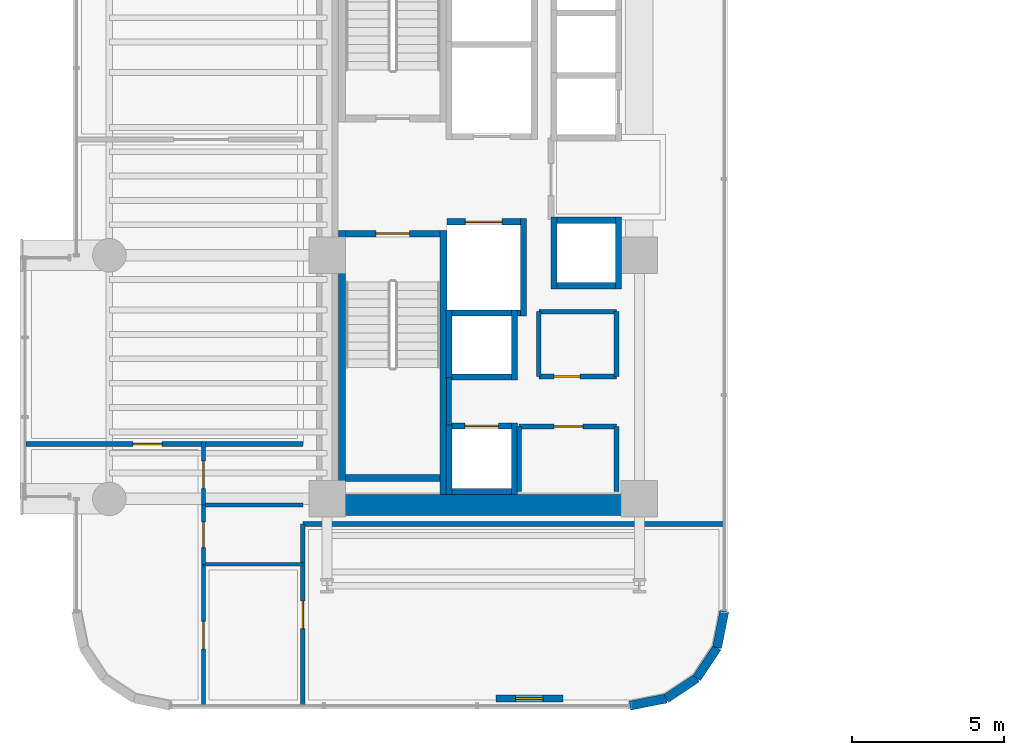
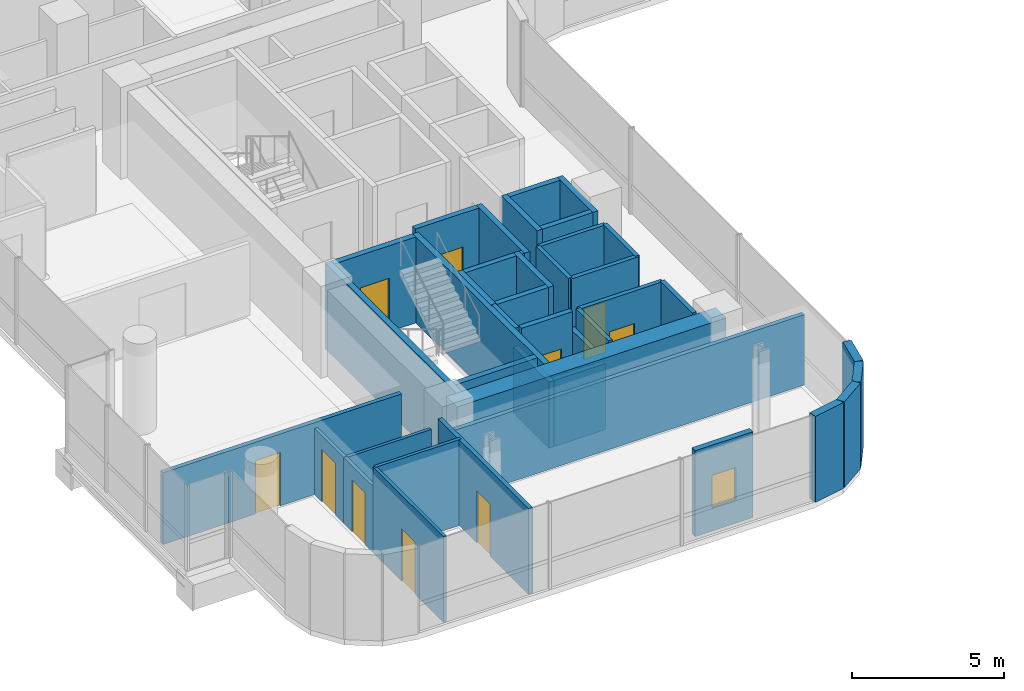
# One storey, part 28 of 37: 40 walls, 10 doors, 1 window, 11 openings.
"""IFC4 building model written with IfcOpenShell, lengths in metres."""

import ifcopenshell
import ifcopenshell.guid

model = None  # the IFC model being written
_history = None  # IfcOwnerHistory: only IFC2X3 demands one
_inside = {}  # id of a spatial element -> (the spatial element, [elements in it])
_under = {}  # id of a project, library or spatial element -> (it, [spatial elements below it])
_declared = {}  # id of a project -> (the project, [libraries it declares])
_typed = {}  # id of a type object -> (the type object, [elements of that type])
_made_of = {}  # id of a material, layer set ... -> (it, [elements and type objects made of it])


def new_model(schema):
    """Start an empty IFC model of exactly this schema.

    Asked for "IFC4X3", IfcOpenShell would pick the latest addendum, in which some entities
    have other attributes; the version numbers below select the first issue.
    IFC2X3 requires an IfcOwnerHistory on every rooted entity: one is made here for all.
    """
    global model, _history
    if schema == "IFC4X3":
        model = ifcopenshell.file(schema_version=(4, 3, 0, 0))
    else:
        model = ifcopenshell.file(schema=schema)
    _inside.clear()
    _under.clear()
    _declared.clear()
    _typed.clear()
    _made_of.clear()
    _history = None
    if model.schema == "IFC2X3":
        org = make("IfcOrganization", Name="unknown")
        user = make(
            "IfcPersonAndOrganization",
            ThePerson=make("IfcPerson", FamilyName="unknown"),
            TheOrganization=org,
        )
        app = make(
            "IfcApplication",
            ApplicationDeveloper=org,
            Version="unknown",
            ApplicationFullName="unknown",
            ApplicationIdentifier="unknown",
        )
        _history = make(
            "IfcOwnerHistory",
            OwningUser=user,
            OwningApplication=app,
            ChangeAction="ADDED",
            CreationDate=0,
        )
    return model


def make(cls, **values):
    """One entity of the class cls with the attributes given. An attribute that is None is left unset."""
    return model.create_entity(
        cls, **{name: value for name, value in values.items() if value is not None}
    )


def rooted(cls, **values):
    """An entity with a GlobalId (a new one), such as an element, a storey or a relation."""
    return make(cls, GlobalId=ifcopenshell.guid.new(), OwnerHistory=_history, **values)


def si_unit(unit_type, name, prefix=None):
    """IfcSIUnit, for example si_unit("LENGTHUNIT", "METRE", prefix="MILLI")."""
    return make("IfcSIUnit", UnitType=unit_type, Prefix=prefix, Name=name)


def assignment(units):
    """IfcUnitAssignment: the units of a project."""
    return None if units is None else make("IfcUnitAssignment", Units=units)


def point(xyz):
    """IfcCartesianPoint."""
    return None if xyz is None else make("IfcCartesianPoint", Coordinates=xyz)


def direction(xyz):
    """IfcDirection."""
    return None if xyz is None else make("IfcDirection", DirectionRatios=xyz)


def frame(location, z_axis=None, x_axis=None):
    """IfcAxis2Placement3D, a coordinate frame: its origin and axes. An axis left out is left unset."""
    return make(
        "IfcAxis2Placement3D",
        Location=point(location),
        Axis=direction(z_axis),
        RefDirection=direction(x_axis),
    )


def frame_2d(location, x_axis=None):
    """IfcAxis2Placement2D, a coordinate frame in the plane: its origin and x axis."""
    return make(
        "IfcAxis2Placement2D", Location=point(location), RefDirection=direction(x_axis)
    )


def origin():
    """The frame at (0, 0, 0) with its axes left unset."""
    return frame((0.0, 0.0, 0.0))


def place(relative_to, where):
    """IfcLocalPlacement: puts the frame where relative to a parent placement (None: the world)."""
    return make(
        "IfcLocalPlacement", PlacementRelTo=relative_to, RelativePlacement=where
    )


def context(
    kind, dimensions, precision=None, world=None, true_north=None, identifier=None
):
    """IfcGeometricRepresentationContext, for example the 3D "Model" context."""
    return make(
        "IfcGeometricRepresentationContext",
        ContextIdentifier=identifier,
        ContextType=kind,
        CoordinateSpaceDimension=dimensions,
        Precision=precision,
        WorldCoordinateSystem=world,
        TrueNorth=true_north,
    )


def subcontext(parent, identifier, kind, view, scale=None):
    """IfcGeometricRepresentationSubContext, for example "Body" below "Model"."""
    return make(
        "IfcGeometricRepresentationSubContext",
        ContextIdentifier=identifier,
        ContextType=kind,
        ParentContext=parent,
        TargetScale=scale,
        TargetView=view,
    )


def project(units=None, contexts=None):
    """IfcProject with its units and contexts."""
    return rooted(
        "IfcProject",
        Name="project",
        RepresentationContexts=contexts,
        UnitsInContext=assignment(units),
    )


def spatial(cls, under=None, at=None, **own):
    """A site, building, storey or space (cls), placed at a placement, below another one or the project."""
    s = rooted(cls, ObjectPlacement=at, **own)
    if under is not None:
        _under.setdefault(under.id(), (under, []))[1].append(s)
    return s


def profile(cls, at=None, kind="AREA", **sizes):
    """A parametric profile (cls). Its sizes go by their IFC names, for example OverallWidth=200.0."""
    return make(cls, ProfileType=kind, Position=at, **sizes)


def rectangle(**sizes):
    """IfcRectangleProfileDef."""
    return profile("IfcRectangleProfileDef", **sizes)


def extrude(swept, where, along, depth):
    """IfcExtrudedAreaSolid: the profile swept, set in the frame where, extruded along a direction by depth."""
    return make(
        "IfcExtrudedAreaSolid",
        SweptArea=swept,
        Position=where,
        ExtrudedDirection=direction(along),
        Depth=depth,
    )


def shape(context_of_items, identifier, shape_type, items):
    """IfcShapeRepresentation: the items that make up one representation, for example the "Body"."""
    return make(
        "IfcShapeRepresentation",
        ContextOfItems=context_of_items,
        RepresentationIdentifier=identifier,
        RepresentationType=shape_type,
        Items=items,
    )


def material(Name=None, Category=None):
    """IfcMaterial."""
    return make("IfcMaterial", Name=Name, Category=Category)


def layer(
    of_material, thickness, ventilated=None, Name=None, Category=None, Priority=None
):
    """IfcMaterialLayer: one layer of a wall or slab, of a material (None: an air gap)."""
    return make(
        "IfcMaterialLayer",
        Material=of_material,
        LayerThickness=thickness,
        IsVentilated=ventilated,
        Name=Name,
        Category=Category,
        Priority=Priority,
    )


def layer_set(layers, Name=None):
    """IfcMaterialLayerSet."""
    return make("IfcMaterialLayerSet", MaterialLayers=layers, LayerSetName=Name)


def made_of(thing, what):
    """Note that an element or type object is made of a material, layer set ...; save() writes the relation."""
    if what is not None:
        _made_of.setdefault(what.id(), (what, []))[1].append(thing)
    return thing


def type_object(cls, material=None, **own):
    """A type object (cls), such as IfcWallType, which elements share."""
    return made_of(rooted(cls, **own), material)


def element(
    cls,
    number,
    at=None,
    inside=None,
    cuts=None,
    type_object=None,
    material=None,
    context=None,
    identifier="Body",
    shape_type=None,
    held_by="IfcProductDefinitionShape",
    body=None,
    shapes=None,
    **own,
):
    """One element of the class cls, such as IfcWall. Its Tag is "e" and its number.

    at: its placement. inside: the storey or other place that contains it. cuts: it is an
    opening in that element (IfcRelVoidsElement). A single representation is given by context,
    identifier, shape_type and body (its items); several are given by shapes. held_by: the class
    of the entity that holds the representations. save() writes the other relations.
    """
    e = rooted(cls, Tag="e%d" % number, ObjectPlacement=at, **own)
    if body is not None:
        shapes = [shape(context, identifier, shape_type, body)]
    if shapes is not None:
        e.Representation = make(held_by, Representations=shapes)
    if inside is not None:
        _inside.setdefault(inside.id(), (inside, []))[1].append(e)
    if cuts is not None:
        rooted(
            "IfcRelVoidsElement", RelatingBuildingElement=cuts, RelatedOpeningElement=e
        )
    if type_object is not None:
        _typed.setdefault(type_object.id(), (type_object, []))[1].append(e)
    return made_of(e, material)


def fill(opening, filler):
    """IfcRelFillsElement: the door or window that sits in an opening."""
    return rooted(
        "IfcRelFillsElement",
        RelatingOpeningElement=opening,
        RelatedBuildingElement=filler,
    )


def aggregate(whole, parts):
    """IfcRelAggregates: a whole, such as a stair, and the parts it consists of."""
    return rooted("IfcRelAggregates", RelatingObject=whole, RelatedObjects=parts)


def save(model, path):
    """Write the relations noted so far, then the file.

    IfcRelAggregates (storeys below a building ...), IfcRelContainedInSpatialStructure (elements
    in a storey), IfcRelDefinesByType, IfcRelAssociatesMaterial and IfcRelDeclares: one each for
    every whole, place, type object, material and project.
    """
    for whole, parts in _under.values():
        aggregate(whole, parts)
    for where, things in _inside.values():
        rooted(
            "IfcRelContainedInSpatialStructure",
            RelatedElements=things,
            RelatingStructure=where,
        )
    for kind, things in _typed.values():
        rooted("IfcRelDefinesByType", RelatedObjects=things, RelatingType=kind)
    for what, things in _made_of.values():
        rooted("IfcRelAssociatesMaterial", RelatedObjects=things, RelatingMaterial=what)
    for by, libraries in _declared.values():
        rooted("IfcRelDeclares", RelatingContext=by, RelatedDefinitions=libraries)
    model.write(path)


model = new_model("IFC4")

# Units and contexts
model_context = context("Model", 3, precision=1e-05, world=origin(), true_north=direction((0.0, 1.0)))
body_context = subcontext(model_context, "Body", "Model", "MODEL_VIEW")
ifc_project = project(units=[si_unit("LENGTHUNIT", "METRE"), si_unit("AREAUNIT", "SQUARE_METRE"), si_unit("VOLUMEUNIT", "CUBIC_METRE"), si_unit("PLANEANGLEUNIT", "RADIAN"), si_unit("MASSUNIT", "GRAM", prefix="KILO")], contexts=[model_context])

# Site, building, storey
site_placement = place(None, origin())
site = spatial("IfcSite", under=ifc_project, at=site_placement, CompositionType="ELEMENT")
building_placement = place(site_placement, origin())
building = spatial("IfcBuilding", under=site, at=building_placement, Name="Valdorenza Pilgrim Sanctuary Tower", CompositionType="ELEMENT")
storey_placement = place(building_placement, frame((0.0, 0.0, 127.89990234375)))
storey = spatial("IfcBuildingStorey", under=building, at=storey_placement, Name="L32", CompositionType="ELEMENT", Elevation=127.89990234375)

# Wall
ifc_material_1 = material(Name="Acoustic twin-stud gypsum partition", Category="gypsum")
ifc_layer_1 = layer(ifc_material_1, 0.159912109375, Name="Acoustic twin-stud gypsum partition")
ifc_layer_set_1 = layer_set([ifc_layer_1], Name="Acoustic twin-stud gypsum partition")
wall_type_1 = type_object("IfcWallType", Name="WAL-COR-160", PredefinedType="PARTITIONING", material=ifc_layer_set_1)
wall_1_placement = place(storey_placement, frame((-18.64990234375, -8.179931640625, 0.0), z_axis=(0.0, 0.0, 1.0), x_axis=(0.0, 1.0, 0.0)))
element("IfcWall", 1, at=wall_1_placement, inside=storey, type_object=wall_type_1, Name="L32 Core A South Lift Hall West Wall", PredefinedType="PARTITIONING", context=body_context, shape_type="SweptSolid", body=[
    extrude(rectangle(XDim=1.559814453125, YDim=0.159912109375, at=frame_2d((0.77978515625, 0.0))), origin(), (0.0, 0.0, 1.0), 3.460205078125),
])

# Wall, opening, door
wall_2_placement = place(storey_placement, frame((-16.35009765625, -8.219970703125, 0.0), z_axis=(0.0, 0.0, 1.0), x_axis=(1.0, 0.0, 0.0)))
wall_2 = element("IfcWall", 2, at=wall_2_placement, inside=storey, type_object=wall_type_1, Name="L32 Freed Shaft 1 North Wall", PredefinedType="PARTITIONING", context=body_context, shape_type="SweptSolid", body=[
    extrude(rectangle(XDim=3.2001953125, YDim=0.159912109375, at=frame_2d((1.60009765625, 0.0))), origin(), (0.0, 0.0, 1.0), 3.460205078125),
])
opening_1_placement = place(wall_2_placement, frame((1.14990234375, 0.0, 0.0)))
opening_1 = element("IfcOpeningElement", 3, at=opening_1_placement, cuts=wall_2, Name="Opening DR-UN1", PredefinedType="OPENING", context=body_context, shape_type="SweptSolid", body=[
    extrude(rectangle(XDim=0.949951171875, YDim=2.14990234375, at=frame_2d((0.47509765625, 1.074951171875))), frame((0.0, 0.0947265625, 0.0), z_axis=(0.0, -1.0, 0.0), x_axis=(1.0, 0.0, 0.0)), (0.0, 0.0, 1.0), 0.189697265625),
])
ifc_material_2 = material(Name="Solid-core European oak timber", Category="wood")
door_type_1 = type_object("IfcDoorType", Name="DR-UNIT-950", OperationType="NOTDEFINED", PredefinedType="DOOR", material=ifc_material_2)
door_1_placement = place(opening_1_placement, origin())
door_1 = element("IfcDoor", 4, at=door_1_placement, inside=storey, type_object=door_type_1, Name="L32 Back-of-House Linen Store Door", OperationType="SINGLE_SWING_LEFT", OverallHeight=2.14990234375, OverallWidth=0.949951171875, PredefinedType="DOOR", context=body_context, shape_type="SweptSolid", body=[
    extrude(rectangle(XDim=0.949951171875, YDim=2.14990234375, at=frame_2d((0.47509765625, 1.074951171875))), frame((0.0, 0.02490234375, 0.0), z_axis=(0.0, -1.0, 0.0), x_axis=(1.0, 0.0, 0.0)), (0.0, 0.0, 1.0), 0.050048828125),
])
fill(opening_1, door_1)

# Wall
wall_3_placement = place(storey_placement, frame((-13.14990234375, -10.35009765625, 0.0), z_axis=(0.0, 0.0, 1.0), x_axis=(0.0, 1.0, 0.0)))
element("IfcWall", 5, at=wall_3_placement, inside=storey, type_object=wall_type_1, Name="L32 Freed Shaft 1 East Wall", PredefinedType="PARTITIONING", context=body_context, shape_type="SweptSolid", body=[
    extrude(rectangle(XDim=2.130126953125, YDim=0.159912109375, at=frame_2d((1.06494140625, 0.0))), origin(), (0.0, 0.0, 1.0), 3.460205078125),
])

# Wall, opening, door
wall_4_placement = place(storey_placement, frame((-15.699951171875, -6.580078125, 0.0), z_axis=(0.0, 0.0, 1.0), x_axis=(1.0, 0.0, 0.0)))
wall_4 = element("IfcWall", 6, at=wall_4_placement, inside=storey, type_object=wall_type_1, Name="L32 Freed Shaft 2 South Wall", PredefinedType="PARTITIONING", context=body_context, shape_type="SweptSolid", body=[
    extrude(rectangle(XDim=2.550048828125, YDim=0.159912109375, at=frame_2d((1.27490234375, 0.0))), origin(), (0.0, 0.0, 1.0), 3.460205078125),
])
opening_2_placement = place(wall_4_placement, frame((0.5, 0.0, 0.0)))
opening_2 = element("IfcOpeningElement", 7, at=opening_2_placement, cuts=wall_4, Name="Opening DR-RS1", PredefinedType="OPENING", context=body_context, shape_type="SweptSolid", body=[
    extrude(rectangle(XDim=0.85009765625, YDim=2.050048828125, at=frame_2d((0.425048828125, 1.02490234375))), frame((0.0, 0.0947265625, 0.0), z_axis=(0.0, -1.0, 0.0), x_axis=(1.0, 0.0, 0.0)), (0.0, 0.0, 1.0), 0.189697265625),
])
ifc_material_3 = material(Name="Painted galvanized steel", Category="steel")
door_type_2 = type_object("IfcDoorType", Name="DR-RSR-850", OperationType="NOTDEFINED", PredefinedType="DOOR", material=ifc_material_3)
door_2_placement = place(opening_2_placement, origin())
door_2 = element("IfcDoor", 8, at=door_2_placement, inside=storey, type_object=door_type_2, Name="L32 Guest Tea Pantry Door", OperationType="SINGLE_SWING_RIGHT", OverallHeight=2.050048828125, OverallWidth=0.85009765625, PredefinedType="DOOR", context=body_context, shape_type="SweptSolid", body=[
    extrude(rectangle(XDim=0.85009765625, YDim=2.050048828125, at=frame_2d((0.425048828125, 1.02490234375))), frame((0.0, 0.02490234375, 0.0), z_axis=(0.0, -1.0, 0.0), x_axis=(1.0, 0.0, 0.0)), (0.0, 0.0, 1.0), 0.050048828125),
])
fill(opening_2, door_2)

# Walls
wall_5_placement = place(storey_placement, frame((-13.14990234375, -6.580078125, 0.0), z_axis=(0.0, 0.0, 1.0), x_axis=(0.0, 1.0, 0.0)))
element("IfcWall", 9, at=wall_5_placement, inside=storey, type_object=wall_type_1, Name="L32 Freed Shaft 2 East Wall", PredefinedType="PARTITIONING", context=body_context, shape_type="SweptSolid", body=[
    extrude(rectangle(XDim=2.130126953125, YDim=0.159912109375, at=frame_2d((1.06494140625, 0.0))), origin(), (0.0, 0.0, 1.0), 3.460205078125),
])
wall_6_placement = place(storey_placement, frame((-23.449951171875, -11.419921875, 0.0), z_axis=(0.0, 0.0, 1.0), x_axis=(1.0, 0.0, 0.0)))
element("IfcWall", 10, at=wall_6_placement, inside=storey, type_object=wall_type_1, Name="L32 South-East Pocket North Wall", PredefinedType="PARTITIONING", context=body_context, shape_type="SweptSolid", body=[
    extrude(rectangle(XDim=13.83984375, YDim=0.159912109375, at=frame_2d((6.919921875, 0.0))), origin(), (0.0, 0.0, 1.0), 2.833984375),
])

# Wall, opening, door
wall_7_placement = place(storey_placement, frame((-23.449951171875, -17.389892578125, 0.0), z_axis=(0.0, 0.0, 1.0), x_axis=(0.0, 1.0, 0.0)))
wall_7 = element("IfcWall", 11, at=wall_7_placement, inside=storey, type_object=wall_type_1, Name="L32 South-East Pocket West Wall", PredefinedType="PARTITIONING", context=body_context, shape_type="SweptSolid", body=[
    extrude(rectangle(XDim=5.969970703125, YDim=0.159912109375, at=frame_2d((2.98486328125, 0.0))), origin(), (0.0, 0.0, 1.0), 3.460205078125),
])
opening_3_placement = place(wall_7_placement, frame((2.534912109375, 0.0, 0.0)))
opening_3 = element("IfcOpeningElement", 12, at=opening_3_placement, cuts=wall_7, Name="Opening DR-RM1", PredefinedType="OPENING", context=body_context, shape_type="SweptSolid", body=[
    extrude(rectangle(XDim=0.89990234375, YDim=2.10009765625, at=frame_2d((0.449951171875, 1.050048828125))), frame((0.0, 0.0947265625, 0.0), z_axis=(0.0, -1.0, 0.0), x_axis=(1.0, 0.0, 0.0)), (0.0, 0.0, 1.0), 0.189697265625),
])
door_type_3 = type_object("IfcDoorType", Name="DR-ROOM-900", OperationType="NOTDEFINED", PredefinedType="DOOR", material=ifc_material_2)
door_3_placement = place(opening_3_placement, origin())
door_3 = element("IfcDoor", 13, at=door_3_placement, inside=storey, type_object=door_type_3, Name="L32 South Panoramic Viewing Salon L32 Door", OperationType="SINGLE_SWING_RIGHT", OverallHeight=2.10009765625, OverallWidth=0.89990234375, PredefinedType="DOOR", context=body_context, shape_type="SweptSolid", body=[
    extrude(rectangle(XDim=0.89990234375, YDim=2.10009765625, at=frame_2d((0.449951171875, 1.050048828125))), frame((0.0, 0.02490234375, 0.0), z_axis=(0.0, -1.0, 0.0), x_axis=(1.0, 0.0, 0.0)), (0.0, 0.0, 1.0), 0.050048828125),
])
fill(opening_3, door_3)

wall_8_placement = place(storey_placement, frame((-32.5400390625, -8.800048828125, 0.0), z_axis=(0.0, 0.0, 1.0), x_axis=(1.0, 0.0, 0.0)))
wall_8 = element("IfcWall", 14, at=wall_8_placement, inside=storey, type_object=wall_type_1, Name="L32 Cloister South Room Wall", PredefinedType="PARTITIONING", context=body_context, shape_type="SweptSolid", body=[
    extrude(rectangle(XDim=9.090087890625, YDim=0.159912109375, at=frame_2d((4.544921875, 0.0))), origin(), (0.0, 0.0, 1.0), 2.89599609375),
])
opening_4_placement = place(wall_8_placement, frame((3.52001953125, 0.0, 0.0)))
opening_4 = element("IfcOpeningElement", 15, at=opening_4_placement, cuts=wall_8, Name="Opening DR-UN1", PredefinedType="OPENING", context=body_context, shape_type="SweptSolid", body=[
    extrude(rectangle(XDim=0.949951171875, YDim=2.14990234375, at=frame_2d((0.47509765625, 1.074951171875))), frame((0.0, 0.0947265625, 0.0), z_axis=(0.0, -1.0, 0.0), x_axis=(1.0, 0.0, 0.0)), (0.0, 0.0, 1.0), 0.189697265625),
])
door_4_placement = place(opening_4_placement, origin())
door_4 = element("IfcDoor", 16, at=door_4_placement, inside=storey, type_object=door_type_1, Name="L32 Sanctuary Apartment L32-CS1 Entrance Door", OperationType="SINGLE_SWING_RIGHT", OverallHeight=2.14990234375, OverallWidth=0.949951171875, PredefinedType="DOOR", context=body_context, shape_type="SweptSolid", body=[
    extrude(rectangle(XDim=0.949951171875, YDim=2.14990234375, at=frame_2d((0.47509765625, 1.074951171875))), frame((0.0, 0.02490234375, 0.0), z_axis=(0.0, -1.0, 0.0), x_axis=(1.0, 0.0, 0.0)), (0.0, 0.0, 1.0), 0.050048828125),
])
fill(opening_4, door_4)

# Walls
ifc_material_4 = material(Name="Concrete C60/75", Category="concrete")
ifc_layer_2 = layer(ifc_material_4, 0.699951171875, Name="Concrete C60/75")
ifc_layer_set_2 = layer_set([ifc_layer_2], Name="Concrete C60/75")
wall_type_2 = type_object("IfcWallType", Name="WAL-COR-700", PredefinedType="SHEAR", material=ifc_layer_set_2)
wall_9_placement = place(storey_placement, frame((-22.64990234375, -10.800048828125, 0.0), z_axis=(0.0, 0.0, 1.0), x_axis=(1.0, 0.0, 0.0)))
element("IfcWall", 17, at=wall_9_placement, inside=storey, type_object=wall_type_2, Name="L32 Split Core A Shear Wall S", PredefinedType="SHEAR", context=body_context, shape_type="SweptSolid", body=[
    extrude(rectangle(XDim=10.25, YDim=0.699951171875, at=frame_2d((5.125, 0.0))), origin(), (0.0, 0.0, 1.0), 3.460205078125),
])
ifc_material_5 = material(Name="Honed travertine limestone", Category="masonry")
ifc_layer_3 = layer(ifc_material_5, 0.300048828125, Name="Honed travertine limestone")
ifc_layer_set_3 = layer_set([ifc_layer_3], Name="Honed travertine limestone")
wall_type_3 = type_object("IfcWallType", Name="WAL-EXT-300", PredefinedType="SOLIDWALL", material=ifc_layer_set_3)
wall_10_placement = place(storey_placement, frame((-9.610107421875, -14.289306640625, 0.0), z_axis=(0.0, 0.0, 1.0), x_axis=(-0.194996050505, -0.980804027463, 0.0)))
element("IfcWall", 18, at=wall_10_placement, inside=storey, type_object=wall_type_3, Name="L32 Rounded Wind-Corner Stone Pier 42", PredefinedType="SOLIDWALL", context=body_context, shape_type="SweptSolid", body=[
    extrude(rectangle(XDim=1.2158203125, YDim=0.300048828125, at=frame_2d((0.60791015625, 0.0))), origin(), (0.0, 0.0, 1.0), 3.460205078125),
])
for number, where, z_axis, x_axis, name in (
    (19, (-9.84716796875, -15.481689453125, 0.0), (0.0, 0.0, 1.0), (-0.555635100982, -0.831426265255, 0.0), "L32 Rounded Wind-Corner Stone Pier 43"),
    (20, (-10.5166015625, -16.4833984375, 0.0), (0.0, 0.0, 1.0), (-0.831426265255, -0.555635100982, 0.0), "L32 Rounded Wind-Corner Stone Pier 44"),
):
    element("IfcWall", number, at=place(storey_placement, frame(where, z_axis=z_axis, x_axis=x_axis)), inside=storey, type_object=wall_type_3, Name=name, PredefinedType="SOLIDWALL", context=body_context, shape_type="SweptSolid", body=[
        extrude(rectangle(XDim=1.204833984375, YDim=0.300048828125, at=frame_2d((0.6025390625, 0.0))), origin(), (0.0, 0.0, 1.0), 3.460205078125),
    ])
wall_11_placement = place(storey_placement, frame((-11.518310546875, -17.15283203125, 0.0), z_axis=(0.0, 0.0, 1.0), x_axis=(-0.980804027463, -0.194996050505, 0.0)))
element("IfcWall", 21, at=wall_11_placement, inside=storey, type_object=wall_type_3, Name="L32 Rounded Wind-Corner Stone Pier 45", PredefinedType="SOLIDWALL", context=body_context, shape_type="SweptSolid", body=[
    extrude(rectangle(XDim=1.2158203125, YDim=0.300048828125, at=frame_2d((0.60791015625, 0.0))), origin(), (0.0, 0.0, 1.0), 3.460205078125),
])

# Wall, opening, window
wall_12_placement = place(storey_placement, frame((-14.910888671875, -17.14990234375, 0.0), z_axis=(0.0, 0.0, 1.0), x_axis=(-1.0, 0.0, 0.0)))
wall_12 = element("IfcWall", 22, at=wall_12_placement, inside=storey, type_object=wall_type_3, Name="L32 Operable Ventilation Sash Jamb Pier", PredefinedType="SOLIDWALL", context=body_context, shape_type="SweptSolid", body=[
    extrude(rectangle(XDim=2.199951171875, YDim=0.219970703125, at=frame_2d((1.10009765625, 0.0))), origin(), (0.0, 0.0, 1.0), 3.460205078125),
])
opening_5_placement = place(wall_12_placement, frame((0.64990234375, 0.0, 0.949951171875)))
opening_5 = element("IfcOpeningElement", 23, at=opening_5_placement, cuts=wall_12, Name="Opening WN-OP1", PredefinedType="OPENING", context=body_context, shape_type="SweptSolid", body=[
    extrude(rectangle(XDim=0.89990234375, YDim=1.300048828125, at=frame_2d((0.449951171875, 0.64990234375))), frame((0.0, 0.125, 0.0), z_axis=(0.0, -1.0, 0.0), x_axis=(1.0, 0.0, 0.0)), (0.0, 0.0, 1.0), 0.249755859375),
])
ifc_material_6 = material(Name="Ceramic-fritted low-E IGU glazing", Category="glass")
window_type = type_object("IfcWindowType", Name="WIN-OPN-900", PartitioningType="SINGLE_PANEL", PredefinedType="WINDOW", material=ifc_material_6)
window_placement = place(opening_5_placement, origin())
window = element("IfcWindow", 24, at=window_placement, inside=storey, type_object=window_type, Name="L32 Parallel-Pop-Out Operable Facade Panel", OverallHeight=1.300048828125, OverallWidth=0.89990234375, PartitioningType="SINGLE_PANEL", PredefinedType="WINDOW", context=body_context, shape_type="SweptSolid", body=[
    extrude(rectangle(XDim=0.89990234375, YDim=1.300048828125, at=frame_2d((0.449951171875, 0.64990234375))), frame((0.0, 0.030029296875, 0.0), z_axis=(0.0, -1.0, 0.0), x_axis=(1.0, 0.0, 0.0)), (0.0, 0.0, 1.0), 0.06005859375),
])
fill(opening_5, window)

# Walls
ifc_material_7 = material(Name="Moisture-resistant gypsum partition", Category="gypsum")
ifc_layer_4 = layer(ifc_material_7, 0.1201171875, Name="Moisture-resistant gypsum partition")
ifc_layer_set_4 = layer_set([ifc_layer_4], Name="Moisture-resistant gypsum partition")
wall_type_4 = type_object("IfcWallType", Name="WAL-INT-120", PredefinedType="PARTITIONING", material=ifc_layer_set_4)
wall_13_placement = place(storey_placement, frame((-26.70849609375, -10.800048828125, 0.0), z_axis=(0.0, 0.0, 1.0), x_axis=(1.0, 0.0, 0.0)))
element("IfcWall", 25, at=wall_13_placement, inside=storey, type_object=wall_type_4, Name="L32 Sanctuary Apartment L32-CS1 Bath-Kitchen Wall", PredefinedType="PARTITIONING", context=body_context, shape_type="SweptSolid", body=[
    extrude(rectangle(XDim=3.258544921875, YDim=0.1201171875, at=frame_2d((1.62939453125, 0.0))), origin(), (0.0, 0.0, 1.0), 2.666015625),
])
wall_14_placement = place(storey_placement, frame((-26.70849609375, -12.75, 0.0), z_axis=(0.0, 0.0, 1.0), x_axis=(1.0, 0.0, 0.0)))
element("IfcWall", 26, at=wall_14_placement, inside=storey, type_object=wall_type_4, Name="L32 Sanctuary Apartment L32-CS1 Kitchen-Bedroom Wall", PredefinedType="PARTITIONING", context=body_context, shape_type="SweptSolid", body=[
    extrude(rectangle(XDim=3.258544921875, YDim=0.1201171875, at=frame_2d((1.62939453125, 0.0))), origin(), (0.0, 0.0, 1.0), 3.460205078125),
])

# Wall, opening, door
wall_15_placement = place(storey_placement, frame((-26.70849609375, -12.75, 0.0), z_axis=(0.0, 0.0, 1.0), x_axis=(0.0, 1.0, 0.0)))
wall_15 = element("IfcWall", 27, at=wall_15_placement, inside=storey, type_object=wall_type_4, Name="L32 Sanctuary Apartment L32-CS1 Bathroom Door Wall", PredefinedType="PARTITIONING", context=body_context, shape_type="SweptSolid", body=[
    extrude(rectangle(XDim=1.949951171875, YDim=0.1201171875, at=frame_2d((0.97509765625, 0.0))), origin(), (0.0, 0.0, 1.0), 2.666015625),
])
opening_6_placement = place(wall_15_placement, frame((0.550048828125, 0.0, 0.0)))
opening_6 = element("IfcOpeningElement", 28, at=opening_6_placement, cuts=wall_15, Name="Opening DR-WC1", PredefinedType="OPENING", context=body_context, shape_type="SweptSolid", body=[
    extrude(rectangle(XDim=0.85009765625, YDim=2.10009765625, at=frame_2d((0.425048828125, 1.050048828125))), frame((0.0, 0.074951171875, 0.0), z_axis=(0.0, -1.0, 0.0), x_axis=(1.0, 0.0, 0.0)), (0.0, 0.0, 1.0), 0.14990234375),
])
ifc_material_8 = material(Name="Moisture-resistant lacquered timber", Category="wood")
door_type_4 = type_object("IfcDoorType", Name="DR-BATH-850", OperationType="NOTDEFINED", PredefinedType="DOOR", material=ifc_material_8)
door_5_placement = place(opening_6_placement, origin())
door_5 = element("IfcDoor", 29, at=door_5_placement, inside=storey, type_object=door_type_4, Name="L32 Sanctuary Apartment L32-CS1 Bathroom Door", OperationType="SINGLE_SWING_LEFT", OverallHeight=2.10009765625, OverallWidth=0.85009765625, PredefinedType="DOOR", context=body_context, shape_type="SweptSolid", body=[
    extrude(rectangle(XDim=0.85009765625, YDim=2.10009765625, at=frame_2d((0.425048828125, 1.050048828125))), frame((0.0, 0.02490234375, 0.0), z_axis=(0.0, -1.0, 0.0), x_axis=(1.0, 0.0, 0.0)), (0.0, 0.0, 1.0), 0.050048828125),
])
fill(opening_6, door_5)

wall_16_placement = place(storey_placement, frame((-26.70849609375, -10.800048828125, 0.0), z_axis=(0.0, 0.0, 1.0), x_axis=(0.0, 1.0, 0.0)))
wall_16 = element("IfcWall", 30, at=wall_16_placement, inside=storey, type_object=wall_type_4, Name="L32 Sanctuary Apartment L32-CS1 Kitchen Door Wall", PredefinedType="PARTITIONING", context=body_context, shape_type="SweptSolid", body=[
    extrude(rectangle(XDim=2.080078125, YDim=0.1201171875, at=frame_2d((1.0400390625, 0.0))), origin(), (0.0, 0.0, 1.0), 2.666015625),
])
opening_7_placement = place(wall_16_placement, frame((0.550048828125, 0.0, 0.0)))
opening_7 = element("IfcOpeningElement", 31, at=opening_7_placement, cuts=wall_16, Name="Opening DR-RM1", PredefinedType="OPENING", context=body_context, shape_type="SweptSolid", body=[
    extrude(rectangle(XDim=0.89990234375, YDim=2.10009765625, at=frame_2d((0.449951171875, 1.050048828125))), frame((0.0, 0.074951171875, 0.0), z_axis=(0.0, -1.0, 0.0), x_axis=(1.0, 0.0, 0.0)), (0.0, 0.0, 1.0), 0.14990234375),
])
door_6_placement = place(opening_7_placement, origin())
door_6 = element("IfcDoor", 32, at=door_6_placement, inside=storey, type_object=door_type_3, Name="L32 Sanctuary Apartment L32-CS1 Kitchen Door", OperationType="SINGLE_SWING_RIGHT", OverallHeight=2.10009765625, OverallWidth=0.89990234375, PredefinedType="DOOR", context=body_context, shape_type="SweptSolid", body=[
    extrude(rectangle(XDim=0.89990234375, YDim=2.10009765625, at=frame_2d((0.449951171875, 1.050048828125))), frame((0.0, 0.02490234375, 0.0), z_axis=(0.0, -1.0, 0.0), x_axis=(1.0, 0.0, 0.0)), (0.0, 0.0, 1.0), 0.050048828125),
])
fill(opening_7, door_6)

wall_17_placement = place(storey_placement, frame((-26.70849609375, -17.389892578125, 0.0), z_axis=(0.0, 0.0, 1.0), x_axis=(0.0, 1.0, 0.0)))
wall_17 = element("IfcWall", 33, at=wall_17_placement, inside=storey, type_object=wall_type_4, Name="L32 Sanctuary Apartment L32-CS1 Bedroom Door Wall", PredefinedType="PARTITIONING", context=body_context, shape_type="SweptSolid", body=[
    extrude(rectangle(XDim=4.639892578125, YDim=0.1201171875, at=frame_2d((2.31982421875, 0.0))), origin(), (0.0, 0.0, 1.0), 3.460205078125),
])
opening_8_placement = place(wall_17_placement, frame((1.8701171875, 0.0, 0.0)))
opening_8 = element("IfcOpeningElement", 34, at=opening_8_placement, cuts=wall_17, Name="Opening DR-RM1", PredefinedType="OPENING", context=body_context, shape_type="SweptSolid", body=[
    extrude(rectangle(XDim=0.89990234375, YDim=2.10009765625, at=frame_2d((0.449951171875, 1.050048828125))), frame((0.0, 0.074951171875, 0.0), z_axis=(0.0, -1.0, 0.0), x_axis=(1.0, 0.0, 0.0)), (0.0, 0.0, 1.0), 0.14990234375),
])
door_7_placement = place(opening_8_placement, frame((0.89990234375, 0.0, 0.0), z_axis=(0.0, 0.0, 1.0), x_axis=(-1.0, 0.0, 0.0)))
door_7 = element("IfcDoor", 35, at=door_7_placement, inside=storey, type_object=door_type_3, Name="L32 Sanctuary Apartment L32-CS1 Bedroom Door", OperationType="SINGLE_SWING_LEFT", OverallHeight=2.10009765625, OverallWidth=0.89990234375, PredefinedType="DOOR", context=body_context, shape_type="SweptSolid", body=[
    extrude(rectangle(XDim=0.89990234375, YDim=2.10009765625, at=frame_2d((0.449951171875, 1.050048828125))), frame((0.0, 0.02490234375, 0.0), z_axis=(0.0, -1.0, 0.0), x_axis=(1.0, 0.0, 0.0)), (0.0, 0.0, 1.0), 0.050048828125),
])
fill(opening_8, door_7)

# Walls
ifc_material_9 = material(Name="Autoclaved aerated concrete blockwork", Category="masonry")
ifc_layer_5 = layer(ifc_material_9, 0.199951171875, Name="Autoclaved aerated concrete blockwork")
ifc_layer_set_5 = layer_set([ifc_layer_5], Name="Autoclaved aerated concrete blockwork")
wall_type_5 = type_object("IfcWallType", Name="WAL-SHF-200", PredefinedType="MOVABLE", material=ifc_layer_set_5)
wall_18_placement = place(storey_placement, frame((-16.199951171875, -4.60009765625, 0.0), z_axis=(0.0, 0.0, 1.0), x_axis=(0.0, 1.0, 0.0)))
element("IfcWall", 36, at=wall_18_placement, inside=storey, type_object=wall_type_5, Name="L32 Lift FFL-02 Hoistway Wall East", PredefinedType="MOVABLE", context=body_context, shape_type="SweptSolid", body=[
    extrude(rectangle(XDim=3.2001953125, YDim=0.199951171875, at=frame_2d((1.60009765625, 0.0))), origin(), (0.0, 0.0, 1.0), 3.460205078125),
])
wall_19_placement = place(storey_placement, frame((-18.719970703125, -4.5, 0.0), z_axis=(0.0, 0.0, 1.0), x_axis=(1.0, 0.0, 0.0)))
element("IfcWall", 37, at=wall_19_placement, inside=storey, type_object=wall_type_5, Name="L32 Lift FFL-02 Hoistway Wall South", PredefinedType="MOVABLE", context=body_context, shape_type="SweptSolid", body=[
    extrude(rectangle(XDim=2.419921875, YDim=0.199951171875, at=frame_2d((1.2099609375, 0.0))), origin(), (0.0, 0.0, 1.0), 3.460205078125),
])

# Wall, opening, door
wall_20_placement = place(storey_placement, frame((-18.719970703125, -1.5, 0.0), z_axis=(0.0, 0.0, 1.0), x_axis=(1.0, 0.0, 0.0)))
wall_20 = element("IfcWall", 38, at=wall_20_placement, inside=storey, type_object=wall_type_5, Name="L32 Lift FFL-02 Hoistway Wall North", PredefinedType="MOVABLE", context=body_context, shape_type="SweptSolid", body=[
    extrude(rectangle(XDim=2.419921875, YDim=0.199951171875, at=frame_2d((1.2099609375, 0.0))), origin(), (0.0, 0.0, 1.0), 3.460205078125),
])
opening_9_placement = place(wall_20_placement, frame((0.610107421875, 0.0, 0.0)))
opening_9 = element("IfcOpeningElement", 39, at=opening_9_placement, cuts=wall_20, Name="Opening LD-02", PredefinedType="OPENING", context=body_context, shape_type="SweptSolid", body=[
    extrude(rectangle(XDim=1.199951171875, YDim=2.10009765625, at=frame_2d((0.60009765625, 1.050048828125))), frame((0.0, 0.11474609375, 0.0), z_axis=(0.0, -1.0, 0.0), x_axis=(1.0, 0.0, 0.0)), (0.0, 0.0, 1.0), 0.229736328125),
])
ifc_material_10 = material(Name="Brushed stainless steel Grade 316", Category="steel")
door_type_5 = type_object("IfcDoorType", Name="DR-LFT-1200", OperationType="DOUBLE_DOOR_SLIDING", PredefinedType="DOOR", material=ifc_material_10)
door_8_placement = place(opening_9_placement, origin())
door_8 = element("IfcDoor", 40, at=door_8_placement, inside=storey, type_object=door_type_5, Name="L32 Lift FFL-02 Sliding Landing Door", OperationType="DOUBLE_DOOR_SLIDING", OverallHeight=2.10009765625, OverallWidth=1.199951171875, PredefinedType="DOOR", context=body_context, shape_type="SweptSolid", body=[
    extrude(rectangle(XDim=1.199951171875, YDim=2.10009765625, at=frame_2d((0.60009765625, 1.050048828125))), frame((0.0, 0.02490234375, 0.0), z_axis=(0.0, -1.0, 0.0), x_axis=(1.0, 0.0, 0.0)), (0.0, 0.0, 1.0), 0.050048828125),
])
fill(opening_9, door_8)

# Walls
for number, where, z_axis, x_axis, name in (
    (41, (-18.64990234375, -10.449951171875, 0.0), (0.0, 0.0, 1.0), (0.0, 1.0, 0.0), "L32 Lift PL-05 Hoistway Wall West"),
    (42, (-16.5, -10.449951171875, 0.0), (0.0, 0.0, 1.0), (0.0, 1.0, 0.0), "L32 Lift PL-05 Hoistway Wall East"),
):
    element("IfcWall", number, at=place(storey_placement, frame(where, z_axis=z_axis, x_axis=x_axis)), inside=storey, type_object=wall_type_5, Name=name, PredefinedType="MOVABLE", context=body_context, shape_type="SweptSolid", body=[
        extrude(rectangle(XDim=2.349853515625, YDim=0.199951171875, at=frame_2d((1.1748046875, 0.0))), origin(), (0.0, 0.0, 1.0), 2.666015625),
    ])
wall_21_placement = place(storey_placement, frame((-18.550048828125, -10.35009765625, 0.0), z_axis=(0.0, 0.0, 1.0), x_axis=(1.0, 0.0, 0.0)))
element("IfcWall", 43, at=wall_21_placement, inside=storey, type_object=wall_type_5, Name="L32 Lift PL-05 Hoistway Wall South", PredefinedType="MOVABLE", context=body_context, shape_type="SweptSolid", body=[
    extrude(rectangle(XDim=1.949951171875, YDim=0.199951171875, at=frame_2d((0.97509765625, 0.0))), origin(), (0.0, 0.0, 1.0), 2.666015625),
])

# Wall, opening, door
wall_22_placement = place(storey_placement, frame((-18.550048828125, -8.199951171875, 0.0), z_axis=(0.0, 0.0, 1.0), x_axis=(1.0, 0.0, 0.0)))
wall_22 = element("IfcWall", 44, at=wall_22_placement, inside=storey, type_object=wall_type_5, Name="L32 Lift PL-05 Hoistway Wall North", PredefinedType="MOVABLE", context=body_context, shape_type="SweptSolid", body=[
    extrude(rectangle(XDim=1.949951171875, YDim=0.199951171875, at=frame_2d((0.97509765625, 0.0))), origin(), (0.0, 0.0, 1.0), 3.460205078125),
])
opening_10_placement = place(wall_22_placement, frame((0.425048828125, 0.0, 0.0)))
opening_10 = element("IfcOpeningElement", 45, at=opening_10_placement, cuts=wall_22, Name="Opening LD-01", PredefinedType="OPENING", context=body_context, shape_type="SweptSolid", body=[
    extrude(rectangle(XDim=1.10009765625, YDim=2.10009765625, at=frame_2d((0.550048828125, 1.050048828125))), frame((0.0, 0.11474609375, 0.0), z_axis=(0.0, -1.0, 0.0), x_axis=(1.0, 0.0, 0.0)), (0.0, 0.0, 1.0), 0.229736328125),
])
door_type_6 = type_object("IfcDoorType", Name="DR-LFT-1100", OperationType="DOUBLE_DOOR_SLIDING", PredefinedType="DOOR", material=ifc_material_10)
door_9_placement = place(opening_10_placement, origin())
door_9 = element("IfcDoor", 46, at=door_9_placement, inside=storey, type_object=door_type_6, Name="L32 Lift PL-05 Sliding Landing Door", OperationType="DOUBLE_DOOR_SLIDING", OverallHeight=2.10009765625, OverallWidth=1.10009765625, PredefinedType="DOOR", context=body_context, shape_type="SweptSolid", body=[
    extrude(rectangle(XDim=1.10009765625, YDim=2.10009765625, at=frame_2d((0.550048828125, 1.050048828125))), frame((0.0, 0.02490234375, 0.0), z_axis=(0.0, -1.0, 0.0), x_axis=(1.0, 0.0, 0.0)), (0.0, 0.0, 1.0), 0.050048828125),
])
fill(opening_10, door_9)

# Walls
for number, where, z_axis, x_axis, name in (
    (47, (-18.64990234375, -6.699951171875, 0.0), (0.0, 0.0, 1.0), (0.0, 1.0, 0.0), "L32 Lift PL-11 Hoistway Wall West"),
    (48, (-16.5, -6.699951171875, 0.0), (0.0, 0.0, 1.0), (0.0, 1.0, 0.0), "L32 Lift PL-11 Hoistway Wall East"),
):
    element("IfcWall", number, at=place(storey_placement, frame(where, z_axis=z_axis, x_axis=x_axis)), inside=storey, type_object=wall_type_5, Name=name, PredefinedType="MOVABLE", context=body_context, shape_type="SweptSolid", body=[
        extrude(rectangle(XDim=2.300048828125, YDim=0.199951171875, at=frame_2d((1.14990234375, 0.0))), origin(), (0.0, 0.0, 1.0), 3.460205078125),
    ])
wall_23_placement = place(storey_placement, frame((-18.550048828125, -6.60009765625, 0.0), z_axis=(0.0, 0.0, 1.0), x_axis=(1.0, 0.0, 0.0)))
element("IfcWall", 49, at=wall_23_placement, inside=storey, type_object=wall_type_5, Name="L32 Lift PL-11 Hoistway Wall South", PredefinedType="MOVABLE", context=body_context, shape_type="SweptSolid", body=[
    extrude(rectangle(XDim=1.949951171875, YDim=0.199951171875, at=frame_2d((0.97509765625, 0.0))), origin(), (0.0, 0.0, 1.0), 3.460205078125),
])
for number, where, z_axis, x_axis, name in (
    (50, (-15.199951171875, -3.699951171875, 0.0), (0.0, 0.0, 1.0), (0.0, 1.0, 0.0), "L32 Lift PL-12 Hoistway Wall West"),
    (51, (-13.080078125, -3.699951171875, 0.0), (0.0, 0.0, 1.0), (0.0, 1.0, 0.0), "L32 Lift PL-12 Hoistway Wall East"),
):
    element("IfcWall", number, at=place(storey_placement, frame(where, z_axis=z_axis, x_axis=x_axis)), inside=storey, type_object=wall_type_5, Name=name, PredefinedType="MOVABLE", context=body_context, shape_type="SweptSolid", body=[
        extrude(rectangle(XDim=2.349853515625, YDim=0.199951171875, at=frame_2d((1.1748046875, 0.0))), origin(), (0.0, 0.0, 1.0), 3.460205078125),
    ])
for number, where, z_axis, x_axis, name in (
    (52, (-15.10009765625, -3.60009765625, 0.0), (0.0, 0.0, 1.0), (1.0, 0.0, 0.0), "L32 Lift PL-12 Hoistway Wall South"),
    (53, (-15.10009765625, -1.449951171875, 0.0), (0.0, 0.0, 1.0), (1.0, 0.0, 0.0), "L32 Lift PL-12 Hoistway Wall North"),
):
    element("IfcWall", number, at=place(storey_placement, frame(where, z_axis=z_axis, x_axis=x_axis)), inside=storey, type_object=wall_type_5, Name=name, PredefinedType="MOVABLE", context=body_context, shape_type="SweptSolid", body=[
        extrude(rectangle(XDim=1.920166015625, YDim=0.199951171875, at=frame_2d((0.9599609375, 0.0))), origin(), (0.0, 0.0, 1.0), 3.460205078125),
    ])
ifc_material_11 = material(Name="Concrete C40/50", Category="concrete")
ifc_layer_6 = layer(ifc_material_11, 0.219970703125, Name="Concrete C40/50")
ifc_layer_set_6 = layer_set([ifc_layer_6], Name="Concrete C40/50")
wall_type_6 = type_object("IfcWallType", Name="WAL-STR-SHF-220", PredefinedType="SHEAR", material=ifc_layer_set_6)
for number, where, z_axis, x_axis, name in (
    (54, (-22.159912109375, -10.449951171875, 0.0), (0.0, 0.0, 1.0), (0.0, 1.0, 0.0), "L32 ST-A2 Structural Stairwell Wall W"),
    (55, (-18.830078125, -10.449951171875, 0.0), (0.0, 0.0, 1.0), (0.0, 1.0, 0.0), "L32 ST-A2 Structural Stairwell Wall E"),
):
    element("IfcWall", number, at=place(storey_placement, frame(where, z_axis=z_axis, x_axis=x_axis)), inside=storey, type_object=wall_type_6, Name=name, PredefinedType="SHEAR", context=body_context, shape_type="SweptSolid", body=[
        extrude(rectangle(XDim=8.669921875, YDim=0.219970703125, at=frame_2d((4.3349609375, 0.0))), origin(), (0.0, 0.0, 1.0), 3.460205078125),
    ])
wall_24_placement = place(storey_placement, frame((-22.050048828125, -9.909912109375, 0.0), z_axis=(0.0, 0.0, 1.0), x_axis=(1.0, 0.0, 0.0)))
element("IfcWall", 56, at=wall_24_placement, inside=storey, type_object=wall_type_6, Name="L32 ST-A2 Structural Stairwell Wall S", PredefinedType="SHEAR", context=body_context, shape_type="SweptSolid", body=[
    extrude(rectangle(XDim=3.110107421875, YDim=0.219970703125, at=frame_2d((1.55517578125, 0.0))), origin(), (0.0, 0.0, 1.0), 3.460205078125),
])

# Wall, opening, door
wall_25_placement = place(storey_placement, frame((-22.050048828125, -1.889892578125, 0.0), z_axis=(0.0, 0.0, 1.0), x_axis=(1.0, 0.0, 0.0)))
wall_25 = element("IfcWall", 57, at=wall_25_placement, inside=storey, type_object=wall_type_6, Name="L32 ST-A2 Structural Stairwell Wall N", PredefinedType="SHEAR", context=body_context, shape_type="SweptSolid", body=[
    extrude(rectangle(XDim=3.110107421875, YDim=0.219970703125, at=frame_2d((1.55517578125, 0.0))), origin(), (0.0, 0.0, 1.0), 3.460205078125),
])
opening_11_placement = place(wall_25_placement, frame((1.0, 0.0, 0.0)))
opening_11 = element("IfcOpeningElement", 58, at=opening_11_placement, cuts=wall_25, Name="Opening DR-ST1", PredefinedType="OPENING", context=body_context, shape_type="SweptSolid", body=[
    extrude(rectangle(XDim=1.10009765625, YDim=2.14990234375, at=frame_2d((0.550048828125, 1.074951171875))), frame((0.0, 0.125, 0.0), z_axis=(0.0, -1.0, 0.0), x_axis=(1.0, 0.0, 0.0)), (0.0, 0.0, 1.0), 0.249755859375),
])
door_type_7 = type_object("IfcDoorType", Name="DR-STAIR-1100", OperationType="NOTDEFINED", PredefinedType="DOOR", material=ifc_material_3)
door_10_placement = place(opening_11_placement, origin())
door_10 = element("IfcDoor", 59, at=door_10_placement, inside=storey, type_object=door_type_7, Name="L32 Exit Stair ST-A2 Door", OperationType="SINGLE_SWING_RIGHT", OverallHeight=2.14990234375, OverallWidth=1.10009765625, PredefinedType="DOOR", context=body_context, shape_type="SweptSolid", body=[
    extrude(rectangle(XDim=1.10009765625, YDim=2.14990234375, at=frame_2d((0.550048828125, 1.074951171875))), frame((0.0, 0.02490234375, 0.0), z_axis=(0.0, -1.0, 0.0), x_axis=(1.0, 0.0, 0.0)), (0.0, 0.0, 1.0), 0.050048828125),
])
fill(opening_11, door_10)

# Walls
ifc_layer_7 = layer(ifc_material_1, 0.14990234375, Name="Acoustic twin-stud gypsum partition")
ifc_layer_set_7 = layer_set([ifc_layer_7], Name="Acoustic twin-stud gypsum partition")
wall_type_7 = type_object("IfcWallType", Name="WAL-UNT-150", PredefinedType="PARTITIONING", material=ifc_layer_set_7)
for number, where, z_axis, x_axis, name in (
    (60, (-16.35009765625, -10.35009765625, 0.0), (0.0, 0.0, 1.0), (0.0, 1.0, 0.0), "L32 Freed Shaft 1 West Wall"),
    (61, (-15.699951171875, -6.580078125, 0.0), (0.0, 0.0, 1.0), (0.0, 1.0, 0.0), "L32 Freed Shaft 2 West Wall"),
):
    element("IfcWall", number, at=place(storey_placement, frame(where, z_axis=z_axis, x_axis=x_axis)), inside=storey, type_object=wall_type_7, Name=name, PredefinedType="PARTITIONING", context=body_context, shape_type="SweptSolid", body=[
        extrude(rectangle(XDim=2.130126953125, YDim=0.14990234375, at=frame_2d((1.06494140625, 0.0))), origin(), (0.0, 0.0, 1.0), 3.460205078125),
    ])
wall_26_placement = place(storey_placement, frame((-15.699951171875, -4.449951171875, 0.0), z_axis=(0.0, 0.0, 1.0), x_axis=(1.0, 0.0, 0.0)))
element("IfcWall", 62, at=wall_26_placement, inside=storey, type_object=wall_type_7, Name="L32 Freed Shaft 2 North Wall", PredefinedType="PARTITIONING", context=body_context, shape_type="SweptSolid", body=[
    extrude(rectangle(XDim=2.550048828125, YDim=0.14990234375, at=frame_2d((1.27490234375, 0.0))), origin(), (0.0, 0.0, 1.0), 3.460205078125),
])

save(model, "model.ifc")
